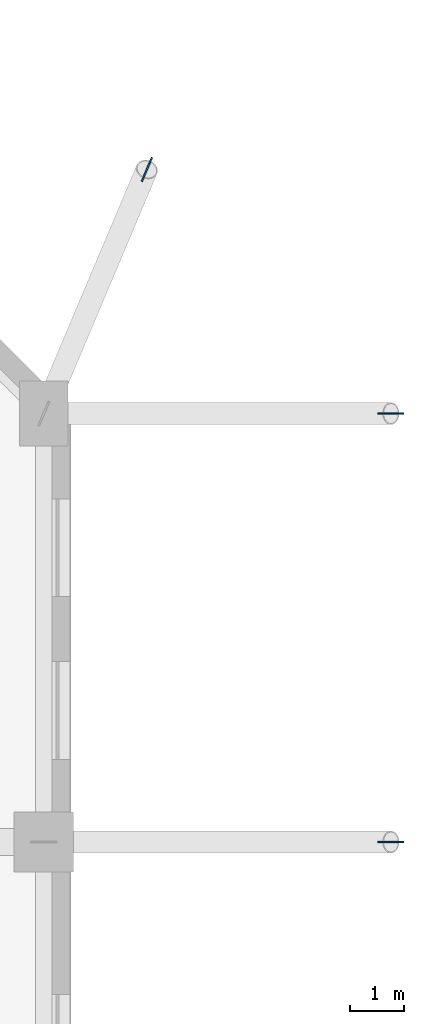
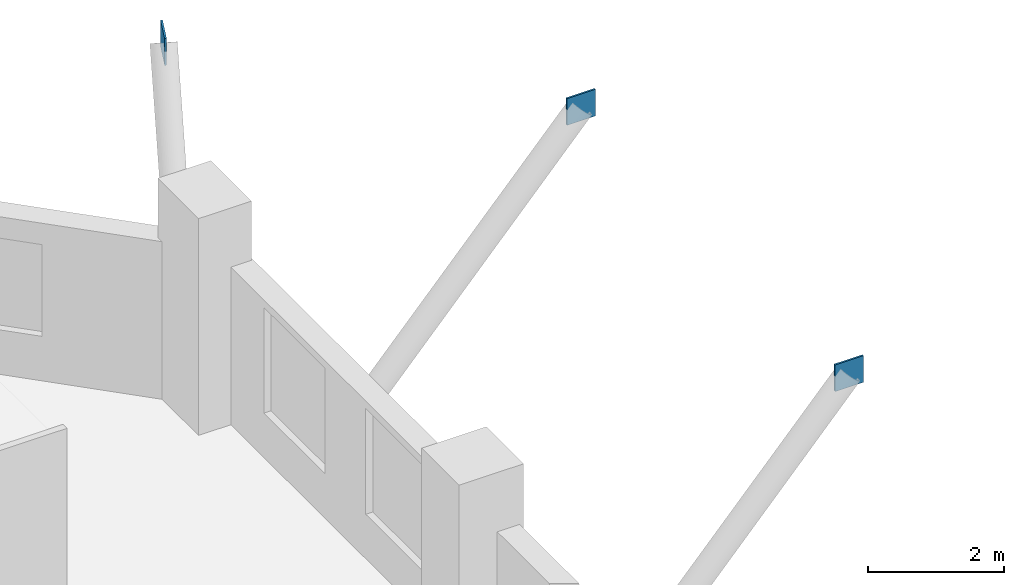
# One storey, part 4 of 13: 3 plates.
"""IFC4 building model written with IfcOpenShell, lengths in metres."""

import ifcopenshell
import ifcopenshell.guid

model = None  # the IFC model being written
_history = None  # IfcOwnerHistory: only IFC2X3 demands one
_inside = {}  # id of a spatial element -> (the spatial element, [elements in it])
_under = {}  # id of a project, library or spatial element -> (it, [spatial elements below it])
_declared = {}  # id of a project -> (the project, [libraries it declares])
_typed = {}  # id of a type object -> (the type object, [elements of that type])
_made_of = {}  # id of a material, layer set ... -> (it, [elements and type objects made of it])


def new_model(schema):
    """Start an empty IFC model of exactly this schema.

    Asked for "IFC4X3", IfcOpenShell would pick the latest addendum, in which some entities
    have other attributes; the version numbers below select the first issue.
    IFC2X3 requires an IfcOwnerHistory on every rooted entity: one is made here for all.
    """
    global model, _history
    if schema == "IFC4X3":
        model = ifcopenshell.file(schema_version=(4, 3, 0, 0))
    else:
        model = ifcopenshell.file(schema=schema)
    _inside.clear()
    _under.clear()
    _declared.clear()
    _typed.clear()
    _made_of.clear()
    _history = None
    if model.schema == "IFC2X3":
        org = make("IfcOrganization", Name="unknown")
        user = make(
            "IfcPersonAndOrganization",
            ThePerson=make("IfcPerson", FamilyName="unknown"),
            TheOrganization=org,
        )
        app = make(
            "IfcApplication",
            ApplicationDeveloper=org,
            Version="unknown",
            ApplicationFullName="unknown",
            ApplicationIdentifier="unknown",
        )
        _history = make(
            "IfcOwnerHistory",
            OwningUser=user,
            OwningApplication=app,
            ChangeAction="ADDED",
            CreationDate=0,
        )
    return model


def make(cls, **values):
    """One entity of the class cls with the attributes given. An attribute that is None is left unset."""
    return model.create_entity(
        cls, **{name: value for name, value in values.items() if value is not None}
    )


def rooted(cls, **values):
    """An entity with a GlobalId (a new one), such as an element, a storey or a relation."""
    return make(cls, GlobalId=ifcopenshell.guid.new(), OwnerHistory=_history, **values)


def si_unit(unit_type, name, prefix=None):
    """IfcSIUnit, for example si_unit("LENGTHUNIT", "METRE", prefix="MILLI")."""
    return make("IfcSIUnit", UnitType=unit_type, Prefix=prefix, Name=name)


def assignment(units):
    """IfcUnitAssignment: the units of a project."""
    return None if units is None else make("IfcUnitAssignment", Units=units)


def point(xyz):
    """IfcCartesianPoint."""
    return None if xyz is None else make("IfcCartesianPoint", Coordinates=xyz)


def direction(xyz):
    """IfcDirection."""
    return None if xyz is None else make("IfcDirection", DirectionRatios=xyz)


def frame(location, z_axis=None, x_axis=None):
    """IfcAxis2Placement3D, a coordinate frame: its origin and axes. An axis left out is left unset."""
    return make(
        "IfcAxis2Placement3D",
        Location=point(location),
        Axis=direction(z_axis),
        RefDirection=direction(x_axis),
    )


def frame_2d(location, x_axis=None):
    """IfcAxis2Placement2D, a coordinate frame in the plane: its origin and x axis."""
    return make(
        "IfcAxis2Placement2D", Location=point(location), RefDirection=direction(x_axis)
    )


def origin():
    """The frame at (0, 0, 0) with its axes left unset."""
    return frame((0.0, 0.0, 0.0))


def origin_2d():
    """The frame at (0, 0) in the plane with its x axis left unset."""
    return frame_2d((0.0, 0.0))


def place(relative_to, where):
    """IfcLocalPlacement: puts the frame where relative to a parent placement (None: the world)."""
    return make(
        "IfcLocalPlacement", PlacementRelTo=relative_to, RelativePlacement=where
    )


def context(
    kind, dimensions, precision=None, world=None, true_north=None, identifier=None
):
    """IfcGeometricRepresentationContext, for example the 3D "Model" context."""
    return make(
        "IfcGeometricRepresentationContext",
        ContextIdentifier=identifier,
        ContextType=kind,
        CoordinateSpaceDimension=dimensions,
        Precision=precision,
        WorldCoordinateSystem=world,
        TrueNorth=true_north,
    )


def subcontext(parent, identifier, kind, view, scale=None):
    """IfcGeometricRepresentationSubContext, for example "Body" below "Model"."""
    return make(
        "IfcGeometricRepresentationSubContext",
        ContextIdentifier=identifier,
        ContextType=kind,
        ParentContext=parent,
        TargetScale=scale,
        TargetView=view,
    )


def project(units=None, contexts=None):
    """IfcProject with its units and contexts."""
    return rooted(
        "IfcProject",
        Name="project",
        RepresentationContexts=contexts,
        UnitsInContext=assignment(units),
    )


def spatial(cls, under=None, at=None, **own):
    """A site, building, storey or space (cls), placed at a placement, below another one or the project."""
    s = rooted(cls, ObjectPlacement=at, **own)
    if under is not None:
        _under.setdefault(under.id(), (under, []))[1].append(s)
    return s


def profile(cls, at=None, kind="AREA", **sizes):
    """A parametric profile (cls). Its sizes go by their IFC names, for example OverallWidth=200.0."""
    return make(cls, ProfileType=kind, Position=at, **sizes)


def rectangle(**sizes):
    """IfcRectangleProfileDef."""
    return profile("IfcRectangleProfileDef", **sizes)


def extrude(swept, where, along, depth):
    """IfcExtrudedAreaSolid: the profile swept, set in the frame where, extruded along a direction by depth."""
    return make(
        "IfcExtrudedAreaSolid",
        SweptArea=swept,
        Position=where,
        ExtrudedDirection=direction(along),
        Depth=depth,
    )


def shape(context_of_items, identifier, shape_type, items):
    """IfcShapeRepresentation: the items that make up one representation, for example the "Body"."""
    return make(
        "IfcShapeRepresentation",
        ContextOfItems=context_of_items,
        RepresentationIdentifier=identifier,
        RepresentationType=shape_type,
        Items=items,
    )


def material(Name=None, Category=None):
    """IfcMaterial."""
    return make("IfcMaterial", Name=Name, Category=Category)


def layer(
    of_material, thickness, ventilated=None, Name=None, Category=None, Priority=None
):
    """IfcMaterialLayer: one layer of a wall or slab, of a material (None: an air gap)."""
    return make(
        "IfcMaterialLayer",
        Material=of_material,
        LayerThickness=thickness,
        IsVentilated=ventilated,
        Name=Name,
        Category=Category,
        Priority=Priority,
    )


def layer_set(layers, Name=None):
    """IfcMaterialLayerSet."""
    return make("IfcMaterialLayerSet", MaterialLayers=layers, LayerSetName=Name)


def made_of(thing, what):
    """Note that an element or type object is made of a material, layer set ...; save() writes the relation."""
    if what is not None:
        _made_of.setdefault(what.id(), (what, []))[1].append(thing)
    return thing


def type_object(cls, material=None, **own):
    """A type object (cls), such as IfcWallType, which elements share."""
    return made_of(rooted(cls, **own), material)


def element(
    cls,
    number,
    at=None,
    inside=None,
    cuts=None,
    type_object=None,
    material=None,
    context=None,
    identifier="Body",
    shape_type=None,
    held_by="IfcProductDefinitionShape",
    body=None,
    shapes=None,
    **own,
):
    """One element of the class cls, such as IfcWall. Its Tag is "e" and its number.

    at: its placement. inside: the storey or other place that contains it. cuts: it is an
    opening in that element (IfcRelVoidsElement). A single representation is given by context,
    identifier, shape_type and body (its items); several are given by shapes. held_by: the class
    of the entity that holds the representations. save() writes the other relations.
    """
    e = rooted(cls, Tag="e%d" % number, ObjectPlacement=at, **own)
    if body is not None:
        shapes = [shape(context, identifier, shape_type, body)]
    if shapes is not None:
        e.Representation = make(held_by, Representations=shapes)
    if inside is not None:
        _inside.setdefault(inside.id(), (inside, []))[1].append(e)
    if cuts is not None:
        rooted(
            "IfcRelVoidsElement", RelatingBuildingElement=cuts, RelatedOpeningElement=e
        )
    if type_object is not None:
        _typed.setdefault(type_object.id(), (type_object, []))[1].append(e)
    return made_of(e, material)


def aggregate(whole, parts):
    """IfcRelAggregates: a whole, such as a stair, and the parts it consists of."""
    return rooted("IfcRelAggregates", RelatingObject=whole, RelatedObjects=parts)


def save(model, path):
    """Write the relations noted so far, then the file.

    IfcRelAggregates (storeys below a building ...), IfcRelContainedInSpatialStructure (elements
    in a storey), IfcRelDefinesByType, IfcRelAssociatesMaterial and IfcRelDeclares: one each for
    every whole, place, type object, material and project.
    """
    for whole, parts in _under.values():
        aggregate(whole, parts)
    for where, things in _inside.values():
        rooted(
            "IfcRelContainedInSpatialStructure",
            RelatedElements=things,
            RelatingStructure=where,
        )
    for kind, things in _typed.values():
        rooted("IfcRelDefinesByType", RelatedObjects=things, RelatingType=kind)
    for what, things in _made_of.values():
        rooted("IfcRelAssociatesMaterial", RelatedObjects=things, RelatingMaterial=what)
    for by, libraries in _declared.values():
        rooted("IfcRelDeclares", RelatingContext=by, RelatedDefinitions=libraries)
    model.write(path)


model = new_model("IFC4")

# Units and contexts
model_context = context("Model", 3, precision=1e-05, world=origin(), true_north=direction((0.0, 1.0)))
body_context = subcontext(model_context, "Body", "Model", "MODEL_VIEW")
ifc_project = project(units=[si_unit("LENGTHUNIT", "METRE"), si_unit("AREAUNIT", "SQUARE_METRE"), si_unit("VOLUMEUNIT", "CUBIC_METRE"), si_unit("PLANEANGLEUNIT", "RADIAN"), si_unit("MASSUNIT", "GRAM", prefix="KILO")], contexts=[model_context])

# Site, building, storey
site_placement = place(None, origin())
site = spatial("IfcSite", under=ifc_project, at=site_placement, CompositionType="ELEMENT")
building_placement = place(site_placement, origin())
building = spatial("IfcBuilding", under=site, at=building_placement, Name="Kranthara Brick Stack", CompositionType="ELEMENT")
storey_placement = place(building_placement, frame((0.0, 0.0, 43.800048828125)))
storey = spatial("IfcBuildingStorey", under=building, at=storey_placement, Name="L10", CompositionType="ELEMENT", Elevation=43.800048828125)

# Plates
ifc_material = material(Name="Steel S355", Category="steel")
ifc_layer = layer(ifc_material, 0.030029296875)
ifc_layer_set = layer_set([ifc_layer], Name="Steel S355")
plate_type = type_object("IfcPlateType", Name="PLT-GUSSET-30", PredefinedType="USERDEFINED", material=ifc_layer_set)
for number, where, z_axis, x_axis, name in (
    (1, (50.699951171875, 46.0, 2.909912109375), (0.0, 0.0, 1.0), (0.38912395014, 0.921185405566, 0.0), "L10 Brace and Strut End Connection Gusset Plate 016"),
    (2, (55.199951171875, 33.60009765625, 2.909912109375), (0.0, 0.0, 1.0), (1.0, 0.0, 0.0), "L10 Brace and Strut End Connection Gusset Plate 021"),
    (3, (55.199951171875, 41.5, 2.909912109375), (0.0, 0.0, 1.0), (1.0, 0.0, 0.0), "L10 Brace and Strut End Connection Gusset Plate 022"),
):
    element("IfcPlate", number, at=place(storey_placement, frame(where, z_axis=z_axis, x_axis=x_axis)), inside=storey, type_object=plate_type, Name=name, ObjectType="GUSSET PLATE", PredefinedType="USERDEFINED", context=body_context, shape_type="SweptSolid", body=[
        extrude(rectangle(XDim=0.47998046875, YDim=0.030029296875, at=origin_2d()), origin(), (0.0, 0.0, 1.0), 0.47998046875),
    ])

save(model, "model.ifc")
